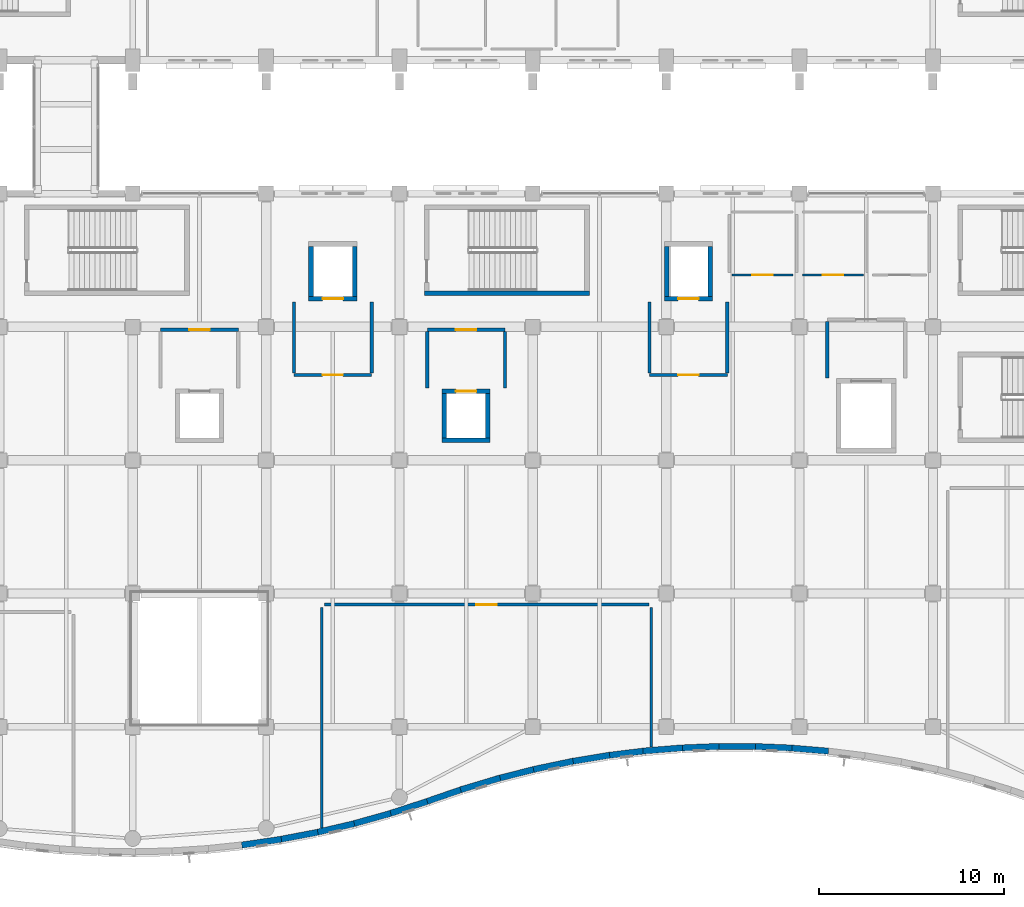
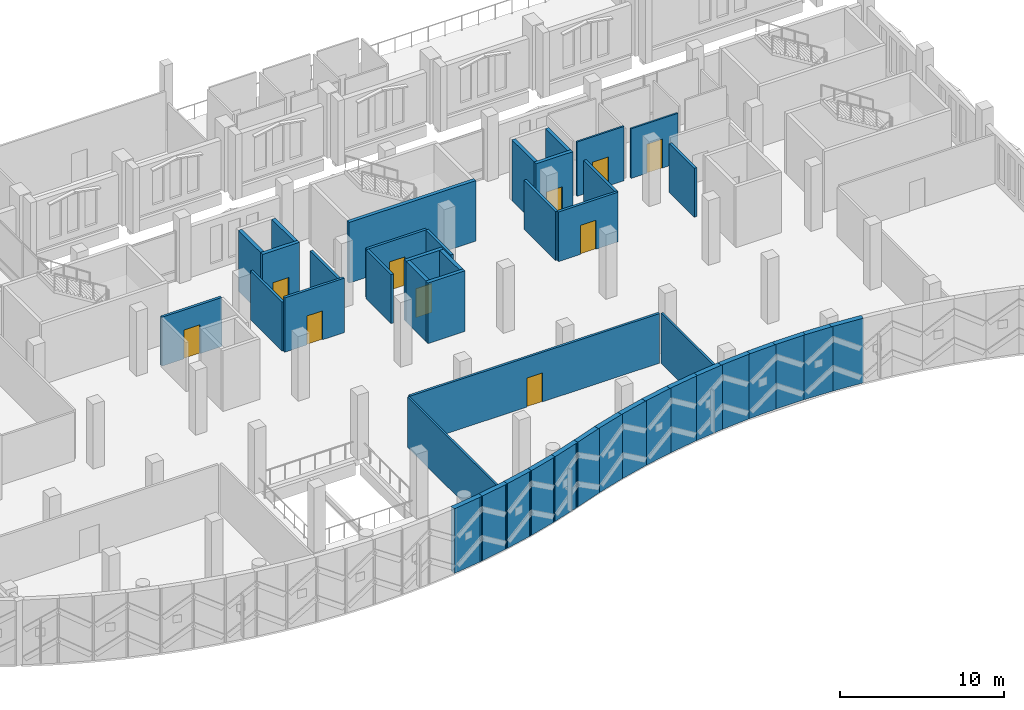
# One storey, part 159 of 220: 43 walls, 10 doors, 10 openings.
"""IFC4 building model written with IfcOpenShell, lengths in metres."""

from ifc_helpers import new_model, si_unit, direction, frame, frame_2d, origin, place, context, subcontext, project, spatial, rectangle, extrude, material, layer, layer_set, type_object, element, fill, save


model = new_model("IFC4")

# Units and contexts
model_context = context("Model", 3, precision=1e-05, world=origin(), true_north=direction((0.0, 1.0)))
body_context = subcontext(model_context, "Body", "Model", "MODEL_VIEW")
ifc_project = project(units=[si_unit("LENGTHUNIT", "METRE"), si_unit("AREAUNIT", "SQUARE_METRE"), si_unit("VOLUMEUNIT", "CUBIC_METRE"), si_unit("PLANEANGLEUNIT", "RADIAN"), si_unit("MASSUNIT", "GRAM", prefix="KILO")], contexts=[model_context])

# Site, building, storey
site_placement = place(None, origin())
site = spatial("IfcSite", under=ifc_project, at=site_placement, CompositionType="ELEMENT")
building_placement = place(site_placement, origin())
building = spatial("IfcBuilding", under=site, at=building_placement, Name="Cendralis Lancet Convention Centre", CompositionType="ELEMENT")
storey_placement = place(building_placement, frame((0.0, 0.0, 5.39990234375)))
storey = spatial("IfcBuildingStorey", under=building, at=storey_placement, Name="L01", CompositionType="ELEMENT", Elevation=5.39990234375)

# Walls
ifc_material_1 = material(Name="Buff sandstone ashlar and Concrete G40 (C40/50)", Category="masonry")
ifc_layer_1 = layer(ifc_material_1, 0.340087890625, Name="Buff sandstone ashlar and Concrete G40 (C40/50)")
ifc_layer_set_1 = layer_set([ifc_layer_1], Name="Buff sandstone ashlar and Concrete G40 (C40/50)")
wall_type_1 = type_object("IfcWallType", Name="ARC-EW-W340", PredefinedType="STANDARD", material=ifc_layer_set_1)
wall_1_placement = place(storey_placement, frame((159.48486328125, 0.816650390625, 0.0), z_axis=(0.0, 0.0, 1.0), x_axis=(0.989332324203, 0.145676189844, 0.0)))
element("IfcWall", 1, at=wall_1_placement, inside=storey, type_object=wall_type_1, Name="South Boulevard Wave Wall L01 WP-081-WP-082", PredefinedType="STANDARD", context=body_context, shape_type="SweptSolid", body=[
    extrude(rectangle(XDim=2.16015625, YDim=0.340087890625, at=frame_2d((1.080078125, 0.0))), origin(), (0.0, 0.0, 1.0), 4.800048828125),
])
wall_2_placement = place(storey_placement, frame((161.45458984375, 1.10302734375, 0.0), z_axis=(0.0, 0.0, 1.0), x_axis=(0.982343477653, 0.187086322089, 0.0)))
element("IfcWall", 2, at=wall_2_placement, inside=storey, type_object=wall_type_1, Name="South Boulevard Wave Wall L01 WP-082-WP-083", PredefinedType="STANDARD", context=body_context, shape_type="SweptSolid", body=[
    extrude(rectangle(XDim=2.17529296875, YDim=0.340087890625, at=frame_2d((1.087646484375, 0.0))), origin(), (0.0, 0.0, 1.0), 4.800048828125),
])
wall_3_placement = place(storey_placement, frame((163.42529296875, 1.474609375, 0.0), z_axis=(0.0, 0.0, 1.0), x_axis=(0.973669248069, 0.227965338076, 0.0)))
element("IfcWall", 3, at=wall_3_placement, inside=storey, type_object=wall_type_1, Name="South Boulevard Wave Wall L01 WP-083-WP-084", PredefinedType="STANDARD", context=body_context, shape_type="SweptSolid", body=[
    extrude(rectangle(XDim=2.192138671875, YDim=0.340087890625, at=frame_2d((1.09619140625, 0.0))), origin(), (0.0, 0.0, 1.0), 4.800048828125),
])
wall_4_placement = place(storey_placement, frame((165.39501953125, 1.93212890625, 0.0), z_axis=(0.0, 0.0, 1.0), x_axis=(0.963137862503, 0.269008285772, 0.0)))
element("IfcWall", 4, at=wall_4_placement, inside=storey, type_object=wall_type_1, Name="South Boulevard Wave Wall L01 WP-084-WP-085", PredefinedType="STANDARD", context=body_context, shape_type="SweptSolid", body=[
    extrude(rectangle(XDim=2.21435546875, YDim=0.340087890625, at=frame_2d((1.107177734375, 0.0))), origin(), (0.0, 0.0, 1.0), 4.800048828125),
])
wall_5_placement = place(storey_placement, frame((167.365234375, 2.478759765625, 0.0), z_axis=(0.0, 0.0, 1.0), x_axis=(0.950754268652, 0.309945673692, 0.0)))
element("IfcWall", 5, at=wall_5_placement, inside=storey, type_object=wall_type_1, Name="South Boulevard Wave Wall L01 WP-085-WP-086", PredefinedType="STANDARD", context=body_context, shape_type="SweptSolid", body=[
    extrude(rectangle(XDim=2.240966796875, YDim=0.340087890625, at=frame_2d((1.12060546875, 0.0))), origin(), (0.0, 0.0, 1.0), 4.800048828125),
])
wall_6_placement = place(storey_placement, frame((169.334716796875, 3.119384765625, 0.0), z_axis=(0.0, 0.0, 1.0), x_axis=(0.945416720516, 0.325863812916, 0.0)))
element("IfcWall", 6, at=wall_6_placement, inside=storey, type_object=wall_type_1, Name="South Boulevard Wave Wall L01 WP-086-WP-087", PredefinedType="STANDARD", context=body_context, shape_type="SweptSolid", body=[
    extrude(rectangle(XDim=2.253662109375, YDim=0.340087890625, at=frame_2d((1.126953125, 0.0))), origin(), (0.0, 0.0, 1.0), 4.800048828125),
])
wall_7_placement = place(storey_placement, frame((171.3037109375, 3.801513671875, 0.0), z_axis=(0.0, 0.0, 1.0), x_axis=(0.957895707977, 0.287116374731, 0.0)))
element("IfcWall", 7, at=wall_7_placement, inside=storey, type_object=wall_type_1, Name="South Boulevard Wave Wall L01 WP-087-WP-088", PredefinedType="STANDARD", context=body_context, shape_type="SweptSolid", body=[
    extrude(rectangle(XDim=2.225341796875, YDim=0.340087890625, at=frame_2d((1.11279296875, 0.0))), origin(), (0.0, 0.0, 1.0), 4.800048828125),
])
wall_8_placement = place(storey_placement, frame((173.271484375, 4.39501953125, 0.0), z_axis=(0.0, 0.0, 1.0), x_axis=(0.969229089559, 0.246160459767, 0.0)))
element("IfcWall", 8, at=wall_8_placement, inside=storey, type_object=wall_type_1, Name="South Boulevard Wave Wall L01 WP-088-WP-089", PredefinedType="STANDARD", context=body_context, shape_type="SweptSolid", body=[
    extrude(rectangle(XDim=2.201904296875, YDim=0.340087890625, at=frame_2d((1.10107421875, 0.0))), origin(), (0.0, 0.0, 1.0), 4.800048828125),
])
wall_9_placement = place(storey_placement, frame((175.23974609375, 4.898681640625, 0.0), z_axis=(0.0, 0.0, 1.0), x_axis=(0.978807841966, 0.20478087925, 0.0)))
element("IfcWall", 9, at=wall_9_placement, inside=storey, type_object=wall_type_1, Name="South Boulevard Wave Wall L01 WP-089-WP-090", PredefinedType="STANDARD", context=body_context, shape_type="SweptSolid", body=[
    extrude(rectangle(XDim=2.181640625, YDim=0.340087890625, at=frame_2d((1.0908203125, 0.0))), origin(), (0.0, 0.0, 1.0), 4.800048828125),
])
wall_10_placement = place(storey_placement, frame((177.2080078125, 5.314208984375, 0.0), z_axis=(0.0, 0.0, 1.0), x_axis=(0.986512410096, 0.163686483027, 0.0)))
element("IfcWall", 10, at=wall_10_placement, inside=storey, type_object=wall_type_1, Name="South Boulevard Wave Wall L01 WP-090-WP-091", PredefinedType="STANDARD", context=body_context, shape_type="SweptSolid", body=[
    extrude(rectangle(XDim=2.167236328125, YDim=0.340087890625, at=frame_2d((1.08349609375, 0.0))), origin(), (0.0, 0.0, 1.0), 4.800048828125),
])
wall_11_placement = place(storey_placement, frame((179.177490234375, 5.64453125, 0.0), z_axis=(0.0, 0.0, 1.0), x_axis=(0.992466764456, 0.122514168366, 0.0)))
element("IfcWall", 11, at=wall_11_placement, inside=storey, type_object=wall_type_1, Name="South Boulevard Wave Wall L01 WP-091-WP-092", PredefinedType="STANDARD", context=body_context, shape_type="SweptSolid", body=[
    extrude(rectangle(XDim=2.154052734375, YDim=0.340087890625, at=frame_2d((1.0771484375, 0.0))), origin(), (0.0, 0.0, 1.0), 4.800048828125),
])
wall_12_placement = place(storey_placement, frame((181.146240234375, 5.89111328125, 0.0), z_axis=(0.0, 0.0, 1.0), x_axis=(0.996638509986, 0.081924846123, 0.0)))
element("IfcWall", 12, at=wall_12_placement, inside=storey, type_object=wall_type_1, Name="South Boulevard Wave Wall L01 WP-092-WP-093", PredefinedType="STANDARD", context=body_context, shape_type="SweptSolid", body=[
    extrude(rectangle(XDim=2.145751953125, YDim=0.340087890625, at=frame_2d((1.07275390625, 0.0))), origin(), (0.0, 0.0, 1.0), 4.800048828125),
])
wall_13_placement = place(storey_placement, frame((183.114990234375, 6.056396484375, 0.0), z_axis=(0.0, 0.0, 1.0), x_axis=(0.999170801248, 0.040714984139, 0.0)))
element("IfcWall", 13, at=wall_13_placement, inside=storey, type_object=wall_type_1, Name="South Boulevard Wave Wall L01 WP-093-WP-094", PredefinedType="STANDARD", context=body_context, shape_type="SweptSolid", body=[
    extrude(rectangle(XDim=2.140625, YDim=0.340087890625, at=frame_2d((1.0703125, 0.0))), origin(), (0.0, 0.0, 1.0), 4.800048828125),
])
wall_14_placement = place(storey_placement, frame((185.083984375, 6.139892578125, 0.0), z_axis=(0.0, 0.0, 1.0), x_axis=(1.0, 0.0, 0.0)))
element("IfcWall", 14, at=wall_14_placement, inside=storey, type_object=wall_type_1, Name="South Boulevard Wave Wall L01 WP-094-WP-095", PredefinedType="STANDARD", context=body_context, shape_type="SweptSolid", body=[
    extrude(rectangle(XDim=2.138916015625, YDim=0.340087890625, at=frame_2d((1.0693359375, 0.0))), origin(), (0.0, 0.0, 1.0), 4.800048828125),
])
wall_15_placement = place(storey_placement, frame((187.052978515625, 6.1435546875, 0.0), z_axis=(0.0, 0.0, 1.0), x_axis=(0.999134060604, -0.041606837663, 0.0)))
element("IfcWall", 15, at=wall_15_placement, inside=storey, type_object=wall_type_1, Name="South Boulevard Wave Wall L01 WP-095-WP-096", PredefinedType="STANDARD", context=body_context, shape_type="SweptSolid", body=[
    extrude(rectangle(XDim=2.141845703125, YDim=0.340087890625, at=frame_2d((1.07080078125, 0.0))), origin(), (0.0, 0.0, 1.0), 4.800048828125),
])
wall_16_placement = place(storey_placement, frame((189.023193359375, 6.06494140625, 0.0), z_axis=(0.0, 0.0, 1.0), x_axis=(0.996591899747, -0.082489910642, 0.0)))
element("IfcWall", 16, at=wall_16_placement, inside=storey, type_object=wall_type_1, Name="South Boulevard Wave Wall L01 WP-096-WP-097", PredefinedType="STANDARD", context=body_context, shape_type="SweptSolid", body=[
    extrude(rectangle(XDim=2.145751953125, YDim=0.340087890625, at=frame_2d((1.07275390625, 0.0))), origin(), (0.0, 0.0, 1.0), 4.800048828125),
])

# Wall, opening, door
ifc_material_2 = material(Name="Acoustic fire-rated gypsum board on steel studs", Category="steel")
ifc_layer_2 = layer(ifc_material_2, 0.1201171875, Name="Acoustic fire-rated gypsum board on steel studs")
ifc_layer_set_2 = layer_set([ifc_layer_2], Name="Acoustic fire-rated gypsum board on steel studs")
wall_type_2 = type_object("IfcWallType", Name="ARC-IW-P120", PredefinedType="PARTITIONING", material=ifc_layer_set_2)
wall_17_placement = place(storey_placement, frame((185.949951171875, 31.60009765625, 0.0), z_axis=(0.0, 0.0, 1.0), x_axis=(1.0, 0.0, 0.0)))
wall_17 = element("IfcWall", 17, at=wall_17_placement, inside=storey, type_object=wall_type_2, Name="L01 Interior Partition IW-05 #0376", PredefinedType="PARTITIONING", context=body_context, shape_type="SweptSolid", body=[
    extrude(rectangle(XDim=3.300048828125, YDim=0.1201171875, at=frame_2d((1.64990234375, 0.0))), origin(), (0.0, 0.0, 1.0), 4.03515625),
])
opening_1_placement = place(wall_17_placement, frame((1.10009765625, 0.0, 0.0)))
opening_1 = element("IfcOpeningElement", 18, at=opening_1_placement, cuts=wall_17, Name="Opening FD-11", PredefinedType="OPENING", context=body_context, shape_type="SweptSolid", body=[
    extrude(rectangle(XDim=1.10009765625, YDim=2.14990234375, at=frame_2d((0.550048828125, 1.074951171875))), frame((0.0, 0.070068359375, 0.0), z_axis=(0.0, -1.0, 0.0), x_axis=(1.0, 0.0, 0.0)), (0.0, 0.0, 1.0), 0.14013671875),
])
ifc_material_3 = material(Name="Steel S355", Category="steel")
door_type_1 = type_object("IfcDoorType", Name="ARC-DR-FF11", OperationType="NOTDEFINED", PredefinedType="DOOR", material=ifc_material_3)
door_1_placement = place(opening_1_placement, origin())
door_1 = element("IfcDoor", 19, at=door_1_placement, inside=storey, type_object=door_type_1, Name="L01-D037 L01 Interior Door FD-11 #0128", OperationType="SINGLE_SWING_RIGHT", OverallHeight=2.14990234375, OverallWidth=1.10009765625, PredefinedType="DOOR", context=body_context, shape_type="SweptSolid", body=[
    extrude(rectangle(XDim=1.10009765625, YDim=2.14990234375, at=frame_2d((0.550048828125, 1.074951171875))), frame((0.0, 0.02490234375, 0.0), z_axis=(0.0, -1.0, 0.0), x_axis=(1.0, 0.0, 0.0)), (0.0, 0.0, 1.0), 0.050048828125),
])
fill(opening_1, door_1)

wall_18_placement = place(storey_placement, frame((189.75, 31.60009765625, 0.0), z_axis=(0.0, 0.0, 1.0), x_axis=(1.0, 0.0, 0.0)))
wall_18 = element("IfcWall", 20, at=wall_18_placement, inside=storey, type_object=wall_type_2, Name="L01 Interior Partition IW-05 #0380", PredefinedType="PARTITIONING", context=body_context, shape_type="SweptSolid", body=[
    extrude(rectangle(XDim=3.300048828125, YDim=0.1201171875, at=frame_2d((1.64990234375, 0.0))), origin(), (0.0, 0.0, 1.0), 3.68505859375),
])
opening_2_placement = place(wall_18_placement, frame((1.10009765625, 0.0, 0.0)))
opening_2 = element("IfcOpeningElement", 21, at=opening_2_placement, cuts=wall_18, Name="Opening FD-11", PredefinedType="OPENING", context=body_context, shape_type="SweptSolid", body=[
    extrude(rectangle(XDim=1.10009765625, YDim=2.14990234375, at=frame_2d((0.550048828125, 1.074951171875))), frame((0.0, 0.070068359375, 0.0), z_axis=(0.0, -1.0, 0.0), x_axis=(1.0, 0.0, 0.0)), (0.0, 0.0, 1.0), 0.14013671875),
])
door_2_placement = place(opening_2_placement, frame((1.10009765625, 0.0, 0.0), z_axis=(0.0, 0.0, 1.0), x_axis=(-1.0, 0.0, 0.0)))
door_2 = element("IfcDoor", 22, at=door_2_placement, inside=storey, type_object=door_type_1, Name="L01-D038 L01 Interior Door FD-11 #0129", OperationType="SINGLE_SWING_LEFT", OverallHeight=2.14990234375, OverallWidth=1.10009765625, PredefinedType="DOOR", context=body_context, shape_type="SweptSolid", body=[
    extrude(rectangle(XDim=1.10009765625, YDim=2.14990234375, at=frame_2d((0.550048828125, 1.074951171875))), frame((0.0, 0.02490234375, 0.0), z_axis=(0.0, -1.0, 0.0), x_axis=(1.0, 0.0, 0.0)), (0.0, 0.0, 1.0), 0.050048828125),
])
fill(opening_2, door_2)

# Walls
ifc_layer_3 = layer(ifc_material_2, 0.139892578125, Name="Acoustic fire-rated gypsum board on steel studs")
ifc_layer_set_3 = layer_set([ifc_layer_3], Name="Acoustic fire-rated gypsum board on steel studs")
wall_type_3 = type_object("IfcWallType", Name="ARC-IW-P140", PredefinedType="PARTITIONING", material=ifc_layer_set_3)
wall_19_placement = place(storey_placement, frame((163.800048828125, 1.746826171875, 0.0), z_axis=(0.0, 0.0, 1.0), x_axis=(0.0, 1.0, 0.0)))
element("IfcWall", 23, at=wall_19_placement, inside=storey, type_object=wall_type_3, Name="L01 Interior Partition IW-04 #0369", PredefinedType="PARTITIONING", context=body_context, shape_type="SweptSolid", body=[
    extrude(rectangle(XDim=11.9130859375, YDim=0.139892578125, at=frame_2d((5.95654296875, 0.0))), origin(), (0.0, 0.0, 1.0), 3.735107421875),
])
wall_20_placement = place(storey_placement, frame((181.60009765625, 6.125, 0.0), z_axis=(0.0, 0.0, 1.0), x_axis=(0.0, 1.0, 0.0)))
element("IfcWall", 24, at=wall_20_placement, inside=storey, type_object=wall_type_3, Name="L01 Interior Partition IW-04 #0371", PredefinedType="PARTITIONING", context=body_context, shape_type="SweptSolid", body=[
    extrude(rectangle(XDim=7.534912109375, YDim=0.139892578125, at=frame_2d((3.767578125, 0.0))), origin(), (0.0, 0.0, 1.0), 3.735107421875),
])

# Wall, opening, door
ifc_layer_4 = layer(ifc_material_2, 0.159912109375, Name="Acoustic fire-rated gypsum board on steel studs")
ifc_layer_set_4 = layer_set([ifc_layer_4], Name="Acoustic fire-rated gypsum board on steel studs")
wall_type_4 = type_object("IfcWallType", Name="ARC-IW-P160", PredefinedType="PARTITIONING", material=ifc_layer_set_4)
wall_21_placement = place(storey_placement, frame((163.93994140625, 13.800048828125, 0.0), z_axis=(0.0, 0.0, 1.0), x_axis=(1.0, 0.0, 0.0)))
wall_21 = element("IfcWall", 25, at=wall_21_placement, inside=storey, type_object=wall_type_4, Name="L01 Interior Partition IW-03 #0370", PredefinedType="PARTITIONING", context=body_context, shape_type="SweptSolid", body=[
    extrude(rectangle(XDim=17.52001953125, YDim=0.159912109375, at=frame_2d((8.760009765625, 0.0))), origin(), (0.0, 0.0, 1.0), 3.68505859375),
])
opening_3_placement = place(wall_21_placement, frame((8.2099609375, 0.0, 0.0)))
opening_3 = element("IfcOpeningElement", 26, at=opening_3_placement, cuts=wall_21, Name="Opening FD-11", PredefinedType="OPENING", context=body_context, shape_type="SweptSolid", body=[
    extrude(rectangle(XDim=1.10009765625, YDim=2.14990234375, at=frame_2d((0.550048828125, 1.074951171875))), frame((0.0, 0.08984375, 0.0), z_axis=(0.0, -1.0, 0.0), x_axis=(1.0, 0.0, 0.0)), (0.0, 0.0, 1.0), 0.179931640625),
])
door_3_placement = place(opening_3_placement, frame((1.10009765625, 0.0, 0.0), z_axis=(0.0, 0.0, 1.0), x_axis=(-1.0, 0.0, 0.0)))
door_3 = element("IfcDoor", 27, at=door_3_placement, inside=storey, type_object=door_type_1, Name="L01-D034 L01 Interior Door FD-11 #0125", OperationType="SINGLE_SWING_RIGHT", OverallHeight=2.14990234375, OverallWidth=1.10009765625, PredefinedType="DOOR", context=body_context, shape_type="SweptSolid", body=[
    extrude(rectangle(XDim=1.10009765625, YDim=2.14990234375, at=frame_2d((0.550048828125, 1.074951171875))), frame((0.0, 0.02490234375, 0.0), z_axis=(0.0, -1.0, 0.0), x_axis=(1.0, 0.0, 0.0)), (0.0, 0.0, 1.0), 0.050048828125),
])
fill(opening_3, door_3)

ifc_layer_5 = layer(ifc_material_2, 0.179931640625, Name="Acoustic fire-rated gypsum board on steel studs")
ifc_layer_set_5 = layer_set([ifc_layer_5], Name="Acoustic fire-rated gypsum board on steel studs")
wall_type_5 = type_object("IfcWallType", Name="ARC-IW-P180", PredefinedType="PARTITIONING", material=ifc_layer_set_5)
wall_22_placement = place(storey_placement, frame((166.5, 26.199951171875, 0.0), z_axis=(0.0, 0.0, 1.0), x_axis=(-1.0, 0.0, 0.0)))
wall_22 = element("IfcWall", 28, at=wall_22_placement, inside=storey, type_object=wall_type_5, Name="L01 Firefighting Lift Lobby LF-01 Front Wall", PredefinedType="PARTITIONING", context=body_context, shape_type="SweptSolid", body=[
    extrude(rectangle(XDim=4.199951171875, YDim=0.179931640625, at=frame_2d((2.10009765625, 0.0))), origin(), (0.0, 0.0, 1.0), 4.03515625),
])
opening_4_placement = place(wall_22_placement, frame((1.550048828125, 0.0, 0.0)))
opening_4 = element("IfcOpeningElement", 29, at=opening_4_placement, cuts=wall_22, Name="Opening FD-11", PredefinedType="OPENING", context=body_context, shape_type="SweptSolid", body=[
    extrude(rectangle(XDim=1.10009765625, YDim=2.14990234375, at=frame_2d((0.550048828125, 1.074951171875))), frame((0.0, 0.099853515625, 0.0), z_axis=(0.0, -1.0, 0.0), x_axis=(1.0, 0.0, 0.0)), (0.0, 0.0, 1.0), 0.199951171875),
])
door_4_placement = place(opening_4_placement, origin())
door_4 = element("IfcDoor", 30, at=door_4_placement, inside=storey, type_object=door_type_1, Name="L01-D054 L01 Lift Lobby LF-01 Fire Door", OperationType="SINGLE_SWING_RIGHT", OverallHeight=2.14990234375, OverallWidth=1.10009765625, PredefinedType="DOOR", context=body_context, shape_type="SweptSolid", body=[
    extrude(rectangle(XDim=1.10009765625, YDim=2.14990234375, at=frame_2d((0.550048828125, 1.074951171875))), frame((0.0, 0.02490234375, 0.0), z_axis=(0.0, -1.0, 0.0), x_axis=(1.0, 0.0, 0.0)), (0.0, 0.0, 1.0), 0.050048828125),
])
fill(opening_4, door_4)

# Walls
for number, where, z_axis, x_axis, name in (
    (31, (162.300048828125, 26.300048828125, 0.0), (0.0, 0.0, 1.0), (0.0, 1.0, 0.0), "L01 Lift Lobby LF-01 West Wall"),
    (32, (166.5, 26.300048828125, 0.0), (0.0, 0.0, 1.0), (0.0, 1.0, 0.0), "L01 Lift Lobby LF-01 East Wall"),
):
    element("IfcWall", number, at=place(storey_placement, frame(where, z_axis=z_axis, x_axis=x_axis)), inside=storey, type_object=wall_type_5, Name=name, PredefinedType="PARTITIONING", context=body_context, shape_type="SweptSolid", body=[
        extrude(rectangle(XDim=3.849853515625, YDim=0.179931640625, at=frame_2d((1.9248046875, 0.0))), origin(), (0.0, 0.0, 1.0), 3.635009765625),
    ])

# Wall, opening, door
wall_23_placement = place(storey_placement, frame((185.699951171875, 26.199951171875, 0.0), z_axis=(0.0, 0.0, 1.0), x_axis=(-1.0, 0.0, 0.0)))
wall_23 = element("IfcWall", 33, at=wall_23_placement, inside=storey, type_object=wall_type_5, Name="L01 Firefighting Lift Lobby LF-02 Front Wall", PredefinedType="PARTITIONING", context=body_context, shape_type="SweptSolid", body=[
    extrude(rectangle(XDim=4.199951171875, YDim=0.179931640625, at=frame_2d((2.10009765625, 0.0))), origin(), (0.0, 0.0, 1.0), 3.68505859375),
])
opening_5_placement = place(wall_23_placement, frame((1.550048828125, 0.0, 0.0)))
opening_5 = element("IfcOpeningElement", 34, at=opening_5_placement, cuts=wall_23, Name="Opening FD-11", PredefinedType="OPENING", context=body_context, shape_type="SweptSolid", body=[
    extrude(rectangle(XDim=1.10009765625, YDim=2.14990234375, at=frame_2d((0.550048828125, 1.074951171875))), frame((0.0, 0.099853515625, 0.0), z_axis=(0.0, -1.0, 0.0), x_axis=(1.0, 0.0, 0.0)), (0.0, 0.0, 1.0), 0.199951171875),
])
door_5_placement = place(opening_5_placement, origin())
door_5 = element("IfcDoor", 35, at=door_5_placement, inside=storey, type_object=door_type_1, Name="L01-D055 L01 Lift Lobby LF-02 Fire Door", OperationType="SINGLE_SWING_LEFT", OverallHeight=2.14990234375, OverallWidth=1.10009765625, PredefinedType="DOOR", context=body_context, shape_type="SweptSolid", body=[
    extrude(rectangle(XDim=1.10009765625, YDim=2.14990234375, at=frame_2d((0.550048828125, 1.074951171875))), frame((0.0, 0.02490234375, 0.0), z_axis=(0.0, -1.0, 0.0), x_axis=(1.0, 0.0, 0.0)), (0.0, 0.0, 1.0), 0.050048828125),
])
fill(opening_5, door_5)

# Walls
for number, where, z_axis, x_axis, name in (
    (36, (181.5, 26.300048828125, 0.0), (0.0, 0.0, 1.0), (0.0, 1.0, 0.0), "L01 Lift Lobby LF-02 West Wall"),
    (37, (185.699951171875, 26.300048828125, 0.0), (0.0, 0.0, 1.0), (0.0, 1.0, 0.0), "L01 Lift Lobby LF-02 East Wall"),
):
    element("IfcWall", number, at=place(storey_placement, frame(where, z_axis=z_axis, x_axis=x_axis)), inside=storey, type_object=wall_type_5, Name=name, PredefinedType="PARTITIONING", context=body_context, shape_type="SweptSolid", body=[
        extrude(rectangle(XDim=3.849853515625, YDim=0.179931640625, at=frame_2d((1.9248046875, 0.0))), origin(), (0.0, 0.0, 1.0), 3.635009765625),
    ])

# Wall, opening, door
wall_24_placement = place(storey_placement, frame((155.10009765625, 28.64990234375, 0.0), z_axis=(0.0, 0.0, 1.0), x_axis=(1.0, 0.0, 0.0)))
wall_24 = element("IfcWall", 38, at=wall_24_placement, inside=storey, type_object=wall_type_5, Name="L01 Lift Lobby LP-01 Front Wall", PredefinedType="PARTITIONING", context=body_context, shape_type="SweptSolid", body=[
    extrude(rectangle(XDim=4.199951171875, YDim=0.179931640625, at=frame_2d((2.10009765625, 0.0))), origin(), (0.0, 0.0, 1.0), 3.635009765625),
])
opening_6_placement = place(wall_24_placement, frame((1.550048828125, 0.0, 0.0)))
opening_6 = element("IfcOpeningElement", 39, at=opening_6_placement, cuts=wall_24, Name="Opening FD-11", PredefinedType="OPENING", context=body_context, shape_type="SweptSolid", body=[
    extrude(rectangle(XDim=1.10009765625, YDim=2.14990234375, at=frame_2d((0.550048828125, 1.074951171875))), frame((0.0, 0.099853515625, 0.0), z_axis=(0.0, -1.0, 0.0), x_axis=(1.0, 0.0, 0.0)), (0.0, 0.0, 1.0), 0.199951171875),
])
door_6_placement = place(opening_6_placement, origin())
door_6 = element("IfcDoor", 40, at=door_6_placement, inside=storey, type_object=door_type_1, Name="L01-D060 L01 Lift Lobby LP-01 Fire Door", OperationType="SINGLE_SWING_RIGHT", OverallHeight=2.14990234375, OverallWidth=1.10009765625, PredefinedType="DOOR", context=body_context, shape_type="SweptSolid", body=[
    extrude(rectangle(XDim=1.10009765625, YDim=2.14990234375, at=frame_2d((0.550048828125, 1.074951171875))), frame((0.0, 0.02490234375, 0.0), z_axis=(0.0, -1.0, 0.0), x_axis=(1.0, 0.0, 0.0)), (0.0, 0.0, 1.0), 0.050048828125),
])
fill(opening_6, door_6)

wall_25_placement = place(storey_placement, frame((169.5, 28.64990234375, 0.0), z_axis=(0.0, 0.0, 1.0), x_axis=(1.0, 0.0, 0.0)))
wall_25 = element("IfcWall", 41, at=wall_25_placement, inside=storey, type_object=wall_type_5, Name="L01 Lift Lobby LP-02 Front Wall", PredefinedType="PARTITIONING", context=body_context, shape_type="SweptSolid", body=[
    extrude(rectangle(XDim=4.199951171875, YDim=0.179931640625, at=frame_2d((2.10009765625, 0.0))), origin(), (0.0, 0.0, 1.0), 3.635009765625),
])
opening_7_placement = place(wall_25_placement, frame((1.550048828125, 0.0, 0.0)))
opening_7 = element("IfcOpeningElement", 42, at=opening_7_placement, cuts=wall_25, Name="Opening FD-11", PredefinedType="OPENING", context=body_context, shape_type="SweptSolid", body=[
    extrude(rectangle(XDim=1.10009765625, YDim=2.14990234375, at=frame_2d((0.550048828125, 1.074951171875))), frame((0.0, 0.099853515625, 0.0), z_axis=(0.0, -1.0, 0.0), x_axis=(1.0, 0.0, 0.0)), (0.0, 0.0, 1.0), 0.199951171875),
])
door_7_placement = place(opening_7_placement, origin())
door_7 = element("IfcDoor", 43, at=door_7_placement, inside=storey, type_object=door_type_1, Name="L01-D061 L01 Lift Lobby LP-02 Fire Door", OperationType="SINGLE_SWING_LEFT", OverallHeight=2.14990234375, OverallWidth=1.10009765625, PredefinedType="DOOR", context=body_context, shape_type="SweptSolid", body=[
    extrude(rectangle(XDim=1.10009765625, YDim=2.14990234375, at=frame_2d((0.550048828125, 1.074951171875))), frame((0.0, 0.02490234375, 0.0), z_axis=(0.0, -1.0, 0.0), x_axis=(1.0, 0.0, 0.0)), (0.0, 0.0, 1.0), 0.050048828125),
])
fill(opening_7, door_7)

# Walls
for number, where, z_axis, x_axis, name in (
    (44, (169.5, 25.5, 0.0), (0.0, 0.0, 1.0), (0.0, 1.0, 0.0), "L01 Lift Lobby LP-02 West Wall"),
    (45, (173.699951171875, 25.5, 0.0), (0.0, 0.0, 1.0), (0.0, 1.0, 0.0), "L01 Lift Lobby LP-02 East Wall"),
    (46, (191.10009765625, 26.050048828125, 0.0), (0.0, 0.0, 1.0), (0.0, 1.0, 0.0), "L01 Lift Lobby LG-04 West Wall"),
):
    element("IfcWall", number, at=place(storey_placement, frame(where, z_axis=z_axis, x_axis=x_axis)), inside=storey, type_object=wall_type_5, Name=name, PredefinedType="PARTITIONING", context=body_context, shape_type="SweptSolid", body=[
        extrude(rectangle(XDim=3.050048828125, YDim=0.179931640625, at=frame_2d((1.52490234375, 0.0))), origin(), (0.0, 0.0, 1.0), 3.635009765625),
    ])
ifc_material_4 = material(Name="Concrete G40 (C40/50)", Category="concrete")
ifc_layer_6 = layer(ifc_material_4, 0.25, Name="Concrete G40 (C40/50)")
ifc_layer_set_6 = layer_set([ifc_layer_6], Name="Concrete G40 (C40/50)")
wall_type_6 = type_object("IfcWallType", Name="STR-SW-CW250", PredefinedType="SHEAR", material=ifc_layer_set_6)
wall_26_placement = place(storey_placement, frame((169.35009765625, 30.625, 0.0), z_axis=(0.0, 0.0, 1.0), x_axis=(1.0, 0.0, 0.0)))
element("IfcWall", 47, at=wall_26_placement, inside=storey, type_object=wall_type_6, Name="L01 Stair Core ST-14 South Shear Wall", PredefinedType="SHEAR", context=body_context, shape_type="SweptSolid", body=[
    extrude(rectangle(XDim=8.89990234375, YDim=0.25, at=frame_2d((4.449951171875, 0.0))), origin(), (0.0, 0.0, 1.0), 4.5),
])

# Wall, opening, door
wall_27_placement = place(storey_placement, frame((163.10009765625, 30.324951171875, 0.0), z_axis=(0.0, 0.0, 1.0), x_axis=(1.0, 0.0, 0.0)))
wall_27 = element("IfcWall", 48, at=wall_27_placement, inside=storey, type_object=wall_type_6, Name="L01 Lift LF-01 South Shaft Wall", PredefinedType="SHEAR", context=body_context, shape_type="SweptSolid", body=[
    extrude(rectangle(XDim=2.599853515625, YDim=0.25, at=frame_2d((1.2998046875, 0.0))), origin(), (0.0, 0.0, 1.0), 4.5),
])
opening_8_placement = place(wall_27_placement, frame((0.75, 0.0, 0.0)))
opening_8 = element("IfcOpeningElement", 49, at=opening_8_placement, cuts=wall_27, Name="Opening LD-11", PredefinedType="OPENING", context=body_context, shape_type="SweptSolid", body=[
    extrude(rectangle(XDim=1.10009765625, YDim=2.14990234375, at=frame_2d((0.550048828125, 1.074951171875))), frame((0.0, 0.135009765625, 0.0), z_axis=(0.0, -1.0, 0.0), x_axis=(1.0, 0.0, 0.0)), (0.0, 0.0, 1.0), 0.27001953125),
])
ifc_material_5 = material(Name="Anodised bronze architectural aluminium", Category="aluminium")
door_type_2 = type_object("IfcDoorType", Name="ARC-DR-LD11", OperationType="NOTDEFINED", PredefinedType="DOOR", material=ifc_material_5)
door_8_placement = place(opening_8_placement, origin())
door_8 = element("IfcDoor", 50, at=door_8_placement, inside=storey, type_object=door_type_2, Name="L01-D040 L01 Lift LF-01 Sliding Landing Door", OperationType="SLIDING_TO_RIGHT", OverallHeight=2.14990234375, OverallWidth=1.10009765625, PredefinedType="DOOR", context=body_context, shape_type="SweptSolid", body=[
    extrude(rectangle(XDim=1.10009765625, YDim=2.14990234375, at=frame_2d((0.550048828125, 1.074951171875))), frame((0.0, 0.02490234375, 0.0), z_axis=(0.0, -1.0, 0.0), x_axis=(1.0, 0.0, 0.0)), (0.0, 0.0, 1.0), 0.050048828125),
])
fill(opening_8, door_8)

# Walls
for number, where, z_axis, x_axis, name in (
    (51, (163.22509765625, 30.449951171875, 0.0), (0.0, 0.0, 1.0), (0.0, 1.0, 0.0), "L01 Lift LF-01 West Shaft Wall"),
    (52, (165.574951171875, 30.449951171875, 0.0), (0.0, 0.0, 1.0), (0.0, 1.0, 0.0), "L01 Lift LF-01 East Shaft Wall"),
):
    element("IfcWall", number, at=place(storey_placement, frame(where, z_axis=z_axis, x_axis=x_axis)), inside=storey, type_object=wall_type_6, Name=name, PredefinedType="SHEAR", context=body_context, shape_type="SweptSolid", body=[
        extrude(rectangle(XDim=2.699951171875, YDim=0.25, at=frame_2d((1.35009765625, 0.0))), origin(), (0.0, 0.0, 1.0), 4.5),
    ])

# Wall, opening, door
wall_28_placement = place(storey_placement, frame((182.300048828125, 30.324951171875, 0.0), z_axis=(0.0, 0.0, 1.0), x_axis=(1.0, 0.0, 0.0)))
wall_28 = element("IfcWall", 53, at=wall_28_placement, inside=storey, type_object=wall_type_6, Name="L01 Lift LF-02 South Shaft Wall", PredefinedType="SHEAR", context=body_context, shape_type="SweptSolid", body=[
    extrude(rectangle(XDim=2.599853515625, YDim=0.25, at=frame_2d((1.2998046875, 0.0))), origin(), (0.0, 0.0, 1.0), 4.5),
])
opening_9_placement = place(wall_28_placement, frame((0.75, 0.0, 0.0)))
opening_9 = element("IfcOpeningElement", 54, at=opening_9_placement, cuts=wall_28, Name="Opening LD-11", PredefinedType="OPENING", context=body_context, shape_type="SweptSolid", body=[
    extrude(rectangle(XDim=1.10009765625, YDim=2.14990234375, at=frame_2d((0.550048828125, 1.074951171875))), frame((0.0, 0.135009765625, 0.0), z_axis=(0.0, -1.0, 0.0), x_axis=(1.0, 0.0, 0.0)), (0.0, 0.0, 1.0), 0.27001953125),
])
door_9_placement = place(opening_9_placement, origin())
door_9 = element("IfcDoor", 55, at=door_9_placement, inside=storey, type_object=door_type_2, Name="L01-D041 L01 Lift LF-02 Sliding Landing Door", OperationType="SLIDING_TO_LEFT", OverallHeight=2.14990234375, OverallWidth=1.10009765625, PredefinedType="DOOR", context=body_context, shape_type="SweptSolid", body=[
    extrude(rectangle(XDim=1.10009765625, YDim=2.14990234375, at=frame_2d((0.550048828125, 1.074951171875))), frame((0.0, 0.02490234375, 0.0), z_axis=(0.0, -1.0, 0.0), x_axis=(1.0, 0.0, 0.0)), (0.0, 0.0, 1.0), 0.050048828125),
])
fill(opening_9, door_9)

# Walls
for number, where, z_axis, x_axis, name in (
    (56, (182.425048828125, 30.449951171875, 0.0), (0.0, 0.0, 1.0), (0.0, 1.0, 0.0), "L01 Lift LF-02 West Shaft Wall"),
    (57, (184.77490234375, 30.449951171875, 0.0), (0.0, 0.0, 1.0), (0.0, 1.0, 0.0), "L01 Lift LF-02 East Shaft Wall"),
):
    element("IfcWall", number, at=place(storey_placement, frame(where, z_axis=z_axis, x_axis=x_axis)), inside=storey, type_object=wall_type_6, Name=name, PredefinedType="SHEAR", context=body_context, shape_type="SweptSolid", body=[
        extrude(rectangle(XDim=2.699951171875, YDim=0.25, at=frame_2d((1.35009765625, 0.0))), origin(), (0.0, 0.0, 1.0), 4.5),
    ])
wall_29_placement = place(storey_placement, frame((170.300048828125, 22.675048828125, 0.0), z_axis=(0.0, 0.0, 1.0), x_axis=(1.0, 0.0, 0.0)))
element("IfcWall", 58, at=wall_29_placement, inside=storey, type_object=wall_type_6, Name="L01 Lift LP-02 South Shaft Wall", PredefinedType="SHEAR", context=body_context, shape_type="SweptSolid", body=[
    extrude(rectangle(XDim=2.599853515625, YDim=0.25, at=frame_2d((1.2998046875, 0.0))), origin(), (0.0, 0.0, 1.0), 4.5),
])

# Wall, opening, door
wall_30_placement = place(storey_placement, frame((170.300048828125, 25.324951171875, 0.0), z_axis=(0.0, 0.0, 1.0), x_axis=(1.0, 0.0, 0.0)))
wall_30 = element("IfcWall", 59, at=wall_30_placement, inside=storey, type_object=wall_type_6, Name="L01 Lift LP-02 North Shaft Wall", PredefinedType="SHEAR", context=body_context, shape_type="SweptSolid", body=[
    extrude(rectangle(XDim=2.599853515625, YDim=0.25, at=frame_2d((1.2998046875, 0.0))), origin(), (0.0, 0.0, 1.0), 4.5),
])
opening_10_placement = place(wall_30_placement, frame((0.75, 0.0, 0.0)))
opening_10 = element("IfcOpeningElement", 60, at=opening_10_placement, cuts=wall_30, Name="Opening LD-11", PredefinedType="OPENING", context=body_context, shape_type="SweptSolid", body=[
    extrude(rectangle(XDim=1.10009765625, YDim=2.14990234375, at=frame_2d((0.550048828125, 1.074951171875))), frame((0.0, 0.135009765625, 0.0), z_axis=(0.0, -1.0, 0.0), x_axis=(1.0, 0.0, 0.0)), (0.0, 0.0, 1.0), 0.27001953125),
])
door_10_placement = place(opening_10_placement, origin())
door_10 = element("IfcDoor", 61, at=door_10_placement, inside=storey, type_object=door_type_2, Name="L01-D047 L01 Lift LP-02 Sliding Landing Door", OperationType="SLIDING_TO_LEFT", OverallHeight=2.14990234375, OverallWidth=1.10009765625, PredefinedType="DOOR", context=body_context, shape_type="SweptSolid", body=[
    extrude(rectangle(XDim=1.10009765625, YDim=2.14990234375, at=frame_2d((0.550048828125, 1.074951171875))), frame((0.0, 0.02490234375, 0.0), z_axis=(0.0, -1.0, 0.0), x_axis=(1.0, 0.0, 0.0)), (0.0, 0.0, 1.0), 0.050048828125),
])
fill(opening_10, door_10)

# Walls
for number, where, z_axis, x_axis, name in (
    (62, (170.425048828125, 22.800048828125, 0.0), (0.0, 0.0, 1.0), (0.0, 1.0, 0.0), "L01 Lift LP-02 West Shaft Wall"),
    (63, (172.77490234375, 22.800048828125, 0.0), (0.0, 0.0, 1.0), (0.0, 1.0, 0.0), "L01 Lift LP-02 East Shaft Wall"),
):
    element("IfcWall", number, at=place(storey_placement, frame(where, z_axis=z_axis, x_axis=x_axis)), inside=storey, type_object=wall_type_6, Name=name, PredefinedType="SHEAR", context=body_context, shape_type="SweptSolid", body=[
        extrude(rectangle(XDim=2.39990234375, YDim=0.25, at=frame_2d((1.199951171875, 0.0))), origin(), (0.0, 0.0, 1.0), 4.5),
    ])

save(model, "model.ifc")
